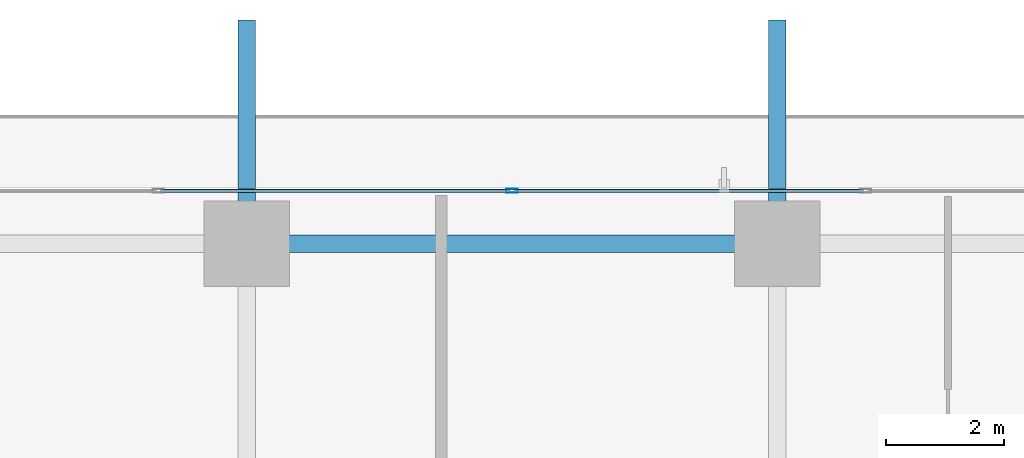
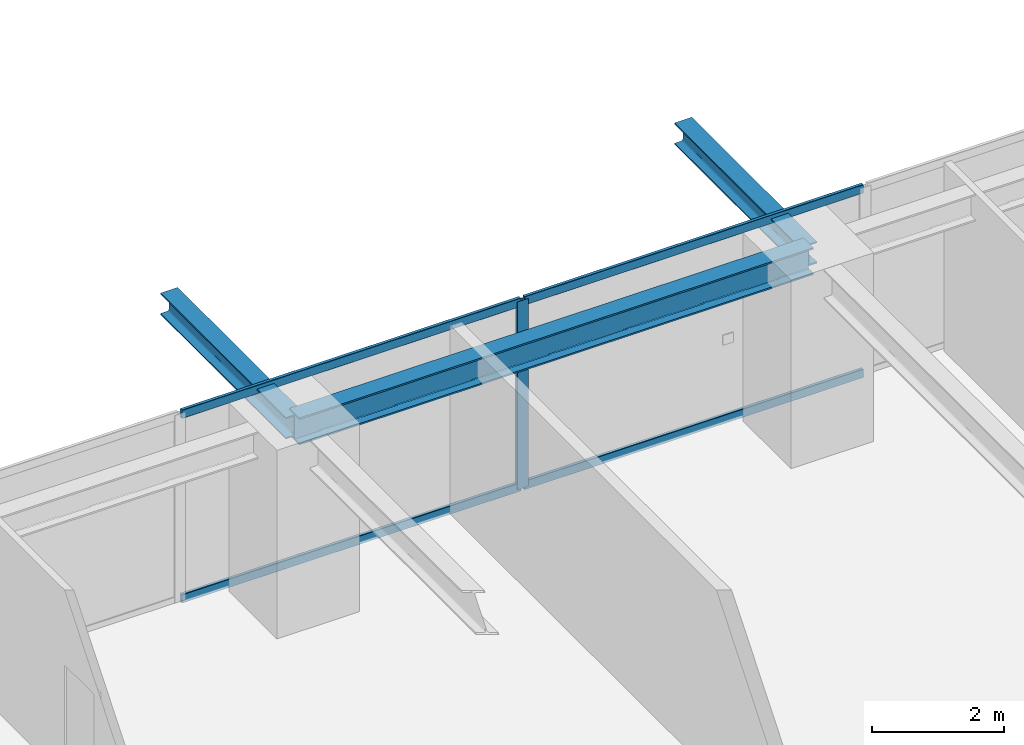
# One storey, part 21 of 39: 5 members, 3 beams, 1 element without a shape of its own.
"""IFC4 building model written with IfcOpenShell, lengths in metres."""

from ifc_helpers import new_model, si_unit, direction, frame, origin, origin_2d, place, context, subcontext, project, spatial, hollow_rectangle, i_section, extrude, source, transform, mapped, material, layer, layer_set, material_profile, profile_set, type_object, element, aggregate, save


model = new_model("IFC4")

# Units and contexts
model_context = context("Model", 3, precision=1e-05, world=origin(), true_north=direction((0.0, 1.0)))
body_context = subcontext(model_context, "Body", "Model", "MODEL_VIEW")
ifc_project = project(units=[si_unit("LENGTHUNIT", "METRE"), si_unit("AREAUNIT", "SQUARE_METRE"), si_unit("VOLUMEUNIT", "CUBIC_METRE"), si_unit("PLANEANGLEUNIT", "RADIAN"), si_unit("MASSUNIT", "GRAM", prefix="KILO")], contexts=[model_context])

# Site, building, storey
site_placement = place(None, origin())
site = spatial("IfcSite", under=ifc_project, at=site_placement, CompositionType="ELEMENT")
building_placement = place(site_placement, origin())
building = spatial("IfcBuilding", under=site, at=building_placement, Name="Serunith Strait Residences", CompositionType="ELEMENT")
storey_placement = place(building_placement, frame((0.0, 0.0, 64.199951171875)))
storey = spatial("IfcBuildingStorey", under=building, at=storey_placement, Name="L15", CompositionType="ELEMENT", Elevation=64.199951171875)

# Beams
ifc_material_1 = material(Name="Steel S355J2", Category="steel")
ifc_material_profile_1 = material_profile(ifc_material_1, i_section(OverallWidth=0.300048828125, OverallDepth=0.5, WebThickness=0.014404296875, FlangeThickness=0.028076171875, FilletRadius=0.027099609375, at=origin_2d()), Name="HEB 500")
ifc_profile_set_1 = profile_set([ifc_material_profile_1], Name="Steel S355J2")
beam_type_1 = type_object("IfcBeamType", Name="BM-HEB500", PredefinedType="BEAM", material=ifc_profile_set_1)
shared_shape_1 = source(origin(), body_context, "Body", "SweptSolid", [
    extrude(i_section(OverallWidth=0.300048828125, OverallDepth=0.5, WebThickness=0.014404296875, FlangeThickness=0.028076171875, FilletRadius=0.027099609375, at=origin_2d()), origin(), (0.0, 0.0, 1.0), 9.0),
])
beam_placement = place(storey_placement, frame((36.89990234375, 49.300048828125, 3.237060546875), z_axis=(-1.0, 0.0, 0.0), x_axis=(0.0, -1.0, 0.0)))
element("IfcBeam", 1, at=beam_placement, inside=storey, type_object=beam_type_1, Name="L15 Perimeter Ring Beam 10", PredefinedType="BEAM", context=body_context, shape_type="MappedRepresentation", body=[
    mapped(shared_shape_1, transform((0.0, 0.0, 0.0), scale=1.0)),
])
ifc_material_profile_2 = material_profile(ifc_material_1, i_section(OverallWidth=0.300048828125, OverallDepth=0.39990234375, WebThickness=0.013427734375, FlangeThickness=0.02392578125, FilletRadius=0.027099609375, at=origin_2d()), Name="HEB 400")
ifc_profile_set_2 = profile_set([ifc_material_profile_2], Name="Steel S355J2")
beam_type_2 = type_object("IfcBeamType", Name="BM-HEB400", PredefinedType="BEAM", material=ifc_profile_set_2)
shared_shape_2 = source(origin(), body_context, "Body", "SweptSolid", [
    extrude(i_section(OverallWidth=0.300048828125, OverallDepth=0.39990234375, WebThickness=0.013427734375, FlangeThickness=0.02392578125, FilletRadius=0.027099609375, at=origin_2d()), origin(), (0.0, 0.0, 1.0), 3.800048828125),
])
for number, where, z_axis, x_axis, name in (
    (2, (27.89990234375, 49.300048828125, 3.257080078125), (0.0, 1.0, 0.0), (-1.0, 0.0, 0.0), "L16 Cantilevered Balcony Rib TC-N2"),
    (3, (36.89990234375, 49.300048828125, 3.257080078125), (0.0, 1.0, 0.0), (-1.0, 0.0, 0.0), "L16 Cantilevered Balcony Rib TC-N3"),
):
    element("IfcBeam", number, at=place(storey_placement, frame(where, z_axis=z_axis, x_axis=x_axis)), inside=storey, type_object=beam_type_2, Name=name, PredefinedType="BEAM", context=body_context, shape_type="MappedRepresentation", body=[
        mapped(shared_shape_2, transform((0.0, 0.0, 0.0), scale=1.0)),
    ])

# Curtain wall, members
ifc_material_2 = material(Name="Pale-Champagne Anodised Aluminium", Category="aluminium")
ifc_layer = layer(ifc_material_2, 0.199951171875, Name="Pale-Champagne Anodised Aluminium")
ifc_layer_set = layer_set([ifc_layer], Name="Pale-Champagne Anodised Aluminium")
curtain_wall_type = type_object("IfcCurtainWallType", Name="CW-SYS1", PredefinedType="NOTDEFINED", material=ifc_layer_set)
curtain_wall_placement = place(storey_placement, origin())
curtain_wall = element("IfcCurtainWall", 4, at=curtain_wall_placement, inside=storey, type_object=curtain_wall_type, Name="L15 N Unitised Fritted Curtain Wall", PredefinedType="NOTDEFINED")
ifc_material_profile_3 = material_profile(ifc_material_2, hollow_rectangle(XDim=0.070068359375, YDim=0.199951171875, WallThickness=0.00390625, InnerFilletRadius=0.006103515625, OuterFilletRadius=0.010009765625, at=origin_2d()), Name="ALU 200x70x4")
ifc_profile_set_3 = profile_set([ifc_material_profile_3], Name="Pale-Champagne Anodised Aluminium")
member_type_1 = type_object("IfcMemberType", Name="CW-SYS1-MULL", PredefinedType="MULLION", material=ifc_profile_set_3)
shared_shape_3 = source(origin(), body_context, "Body", "SweptSolid", [
    extrude(hollow_rectangle(XDim=0.070068359375, YDim=0.199951171875, WallThickness=0.00390625, InnerFilletRadius=0.006103515625, OuterFilletRadius=0.010009765625, at=origin_2d()), origin(), (0.0, 0.0, 1.0), 3.47509765625),
])
member_1_placement = place(storey_placement, frame((32.39990234375, 50.199951171875, 0.0), z_axis=(0.0, 0.0, 1.0), x_axis=(0.0, -1.0, 0.0)))
member_1 = element("IfcMember", 5, at=member_1_placement, type_object=member_type_1, Name="CW-1 mullion 4", PredefinedType="MULLION", context=body_context, shape_type="MappedRepresentation", body=[
    mapped(shared_shape_3, transform((0.0, 0.0, 0.0), scale=1.0)),
])
ifc_material_profile_4 = material_profile(ifc_material_2, hollow_rectangle(XDim=0.06005859375, YDim=0.159912109375, WallThickness=0.00341796875, InnerFilletRadius=0.00537109375, OuterFilletRadius=0.0087890625, at=origin_2d()), Name="ALU 160x60x3.5")
ifc_profile_set_4 = profile_set([ifc_material_profile_4], Name="Pale-Champagne Anodised Aluminium")
member_type_2 = type_object("IfcMemberType", Name="CW-SYS1-TRAN", PredefinedType="USERDEFINED", material=ifc_profile_set_4)
shared_shape_4 = source(origin(), body_context, "Body", "SweptSolid", [
    extrude(hollow_rectangle(XDim=0.06005859375, YDim=0.159912109375, WallThickness=0.00341796875, InnerFilletRadius=0.00537109375, OuterFilletRadius=0.0087890625, at=origin_2d()), origin(), (0.0, 0.0, 1.0), 5.929931640625),
])
member_2_placement = place(storey_placement, frame((38.364990234375, 50.199951171875, 0.030029296875), z_axis=(-1.0, 0.0, 0.0), x_axis=(0.0, -1.0, 0.0)))
member_2 = element("IfcMember", 6, at=member_2_placement, type_object=member_type_2, Name="CW-1 transom 3.1", ObjectType="TRANSOM", PredefinedType="USERDEFINED", context=body_context, shape_type="MappedRepresentation", body=[
    mapped(shared_shape_4, transform((0.0, 0.0, 0.0), scale=1.0)),
])
member_3_placement = place(storey_placement, frame((38.364990234375, 50.199951171875, 3.445068359375), z_axis=(-1.0, 0.0, 0.0), x_axis=(0.0, -1.0, 0.0)))
member_3 = element("IfcMember", 7, at=member_3_placement, type_object=member_type_2, Name="CW-1 transom 3.2", ObjectType="TRANSOM", PredefinedType="USERDEFINED", context=body_context, shape_type="MappedRepresentation", body=[
    mapped(shared_shape_4, transform((0.0, 0.0, 0.0), scale=1.0)),
])
member_4_placement = place(storey_placement, frame((32.364990234375, 50.199951171875, 0.030029296875), z_axis=(-1.0, 0.0, 0.0), x_axis=(0.0, -1.0, 0.0)))
member_4 = element("IfcMember", 8, at=member_4_placement, type_object=member_type_2, Name="CW-1 transom 4.1", ObjectType="TRANSOM", PredefinedType="USERDEFINED", context=body_context, shape_type="MappedRepresentation", body=[
    mapped(shared_shape_4, transform((0.0, 0.0, 0.0), scale=1.0)),
])
member_5_placement = place(storey_placement, frame((32.364990234375, 50.199951171875, 3.445068359375), z_axis=(-1.0, 0.0, 0.0), x_axis=(0.0, -1.0, 0.0)))
member_5 = element("IfcMember", 9, at=member_5_placement, type_object=member_type_2, Name="CW-1 transom 4.2", ObjectType="TRANSOM", PredefinedType="USERDEFINED", context=body_context, shape_type="MappedRepresentation", body=[
    mapped(shared_shape_4, transform((0.0, 0.0, 0.0), scale=1.0)),
])
aggregate(curtain_wall, [member_1, member_2, member_3, member_4, member_5])

save(model, "model.ifc")
